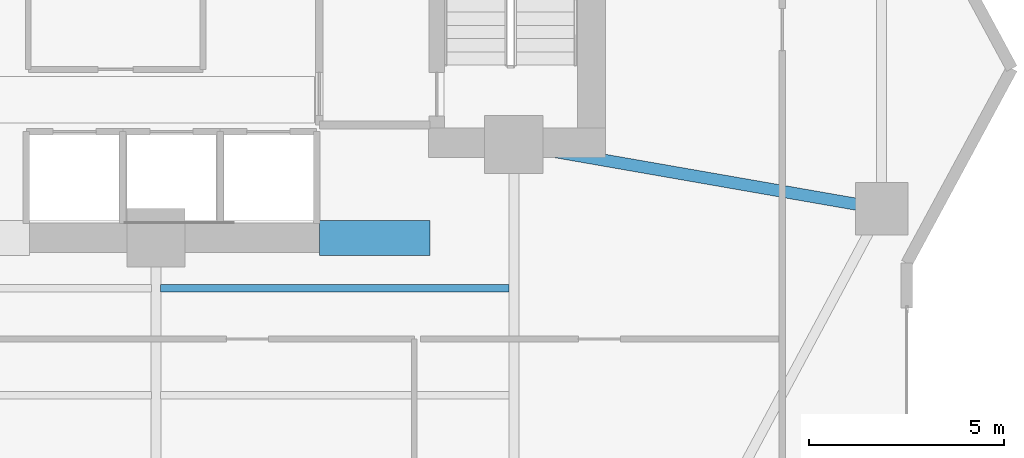
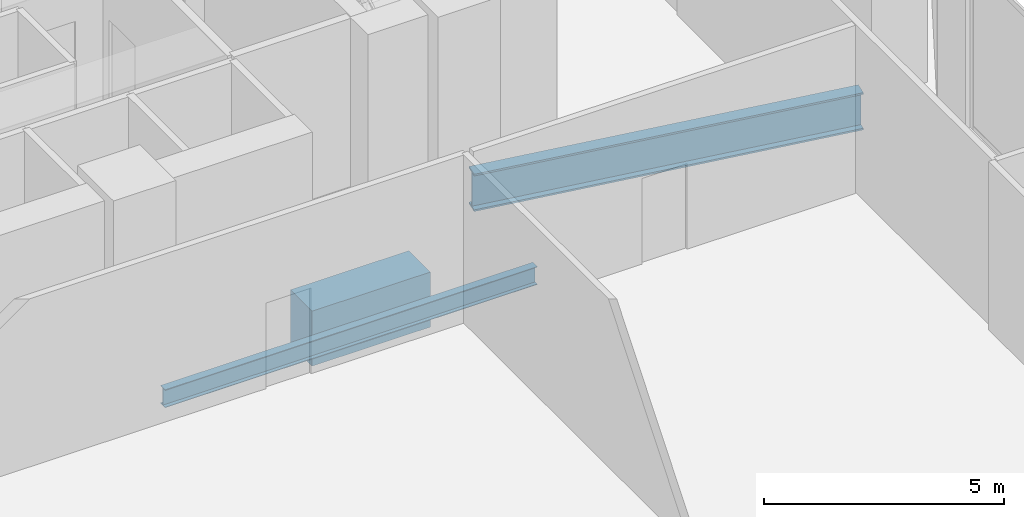
# One storey, part 15 of 33: 3 beams.
"""IFC4 building model written with IfcOpenShell, lengths in metres."""

from ifc_helpers import new_model, si_unit, direction, frame, origin, origin_2d, place, context, subcontext, project, spatial, rectangle, i_section, extrude, material, material_profile, profile_set, type_object, element, save


model = new_model("IFC4")

# Units and contexts
model_context = context("Model", 3, precision=1e-05, world=origin(), true_north=direction((0.0, 1.0)))
body_context = subcontext(model_context, "Body", "Model", "MODEL_VIEW")
ifc_project = project(units=[si_unit("LENGTHUNIT", "METRE"), si_unit("AREAUNIT", "SQUARE_METRE"), si_unit("VOLUMEUNIT", "CUBIC_METRE"), si_unit("PLANEANGLEUNIT", "RADIAN"), si_unit("MASSUNIT", "GRAM", prefix="KILO")], contexts=[model_context])

# Site, building, storey
site_placement = place(None, origin())
site = spatial("IfcSite", under=ifc_project, at=site_placement, CompositionType="ELEMENT")
building_placement = place(site_placement, origin())
building = spatial("IfcBuilding", under=site, at=building_placement, Name="Zuhayl Quay Hotel", CompositionType="ELEMENT")
storey_placement = place(building_placement, frame((0.0, 0.0, 154.050048828125)))
storey = spatial("IfcBuildingStorey", under=building, at=storey_placement, Name="L39", CompositionType="ELEMENT", Elevation=154.050048828125)

# Beams
ifc_material_1 = material(Name="Concrete C60/75", Category="concrete")
ifc_material_profile_1 = material_profile(ifc_material_1, rectangle(XDim=0.89990234375, YDim=1.39990234375, at=origin_2d()), Name="RC900X1400")
ifc_profile_set_1 = profile_set([ifc_material_profile_1], Name="Concrete C60/75")
beam_type_1 = type_object("IfcBeamType", Name="BM_CB1_RC900", PredefinedType="T_BEAM", material=ifc_profile_set_1)
beam_1_placement = place(storey_placement, frame((8.800048828125, 2.14990234375, -0.920166015625), z_axis=(1.0, 0.0, 0.0), x_axis=(0.0, 1.0, 0.0)))
element("IfcBeam", 1, at=beam_1_placement, inside=storey, type_object=beam_type_1, Name="L39 Core Coupling Beam SE", PredefinedType="T_BEAM", context=body_context, shape_type="SweptSolid", body=[
    extrude(rectangle(XDim=0.89990234375, YDim=1.39990234375, at=origin_2d()), origin(), (0.0, 0.0, 1.0), 2.849853515625),
])
ifc_material_2 = material(Name="Steel ASTM A992 Grade 50", Category="steel")
ifc_material_profile_2 = material_profile(ifc_material_2, i_section(OverallWidth=0.18994140625, OverallDepth=0.45703125, WebThickness=0.009033203125, FlangeThickness=0.014404296875, at=origin_2d()), Name="W18X50")
ifc_profile_set_2 = profile_set([ifc_material_profile_2], Name="Steel ASTM A992 Grade 50")
beam_type_2 = type_object("IfcBeamType", Name="BM_J2_W18X50", PredefinedType="JOIST", material=ifc_profile_set_2)
beam_2_placement = place(storey_placement, frame((4.718994140625, 0.85009765625, -0.448486328125), z_axis=(1.0, 0.0, 0.0), x_axis=(0.0, 1.0, 0.0)))
element("IfcBeam", 2, at=beam_2_placement, inside=storey, type_object=beam_type_2, Name="L39 Floor Beam FJ_L39_9_3", PredefinedType="JOIST", context=body_context, shape_type="SweptSolid", body=[
    extrude(i_section(OverallWidth=0.18994140625, OverallDepth=0.45703125, WebThickness=0.009033203125, FlangeThickness=0.014404296875, at=origin_2d()), origin(), (0.0, 0.0, 1.0), 8.9619140625),
])
ifc_material_profile_3 = material_profile(ifc_material_2, i_section(OverallWidth=0.31005859375, OverallDepth=0.949951171875, WebThickness=0.0244140625, FlangeThickness=0.0439453125, at=origin_2d()), Name="W36X256")
ifc_profile_set_3 = profile_set([ifc_material_profile_3], Name="Steel ASTM A992 Grade 50")
beam_type_3 = type_object("IfcBeamType", Name="BM_PG1_W36X256", PredefinedType="BEAM", material=ifc_profile_set_3)
beam_3_placement = place(storey_placement, frame((14.243408203125, 4.47265625, -0.695068359375), z_axis=(0.985097302632, -0.171997977741, 0.0), x_axis=(0.171997977741, 0.985097302632, 0.0)))
element("IfcBeam", 3, at=beam_3_placement, inside=storey, type_object=beam_type_3, Name="L39 Floor Beam FG_E_L39_1", PredefinedType="BEAM", context=body_context, shape_type="SweptSolid", body=[
    extrude(i_section(OverallWidth=0.31005859375, OverallDepth=0.949951171875, WebThickness=0.0244140625, FlangeThickness=0.0439453125, at=origin_2d()), origin(), (0.0, 0.0, 1.0), 8.64306640625),
])

save(model, "model.ifc")
